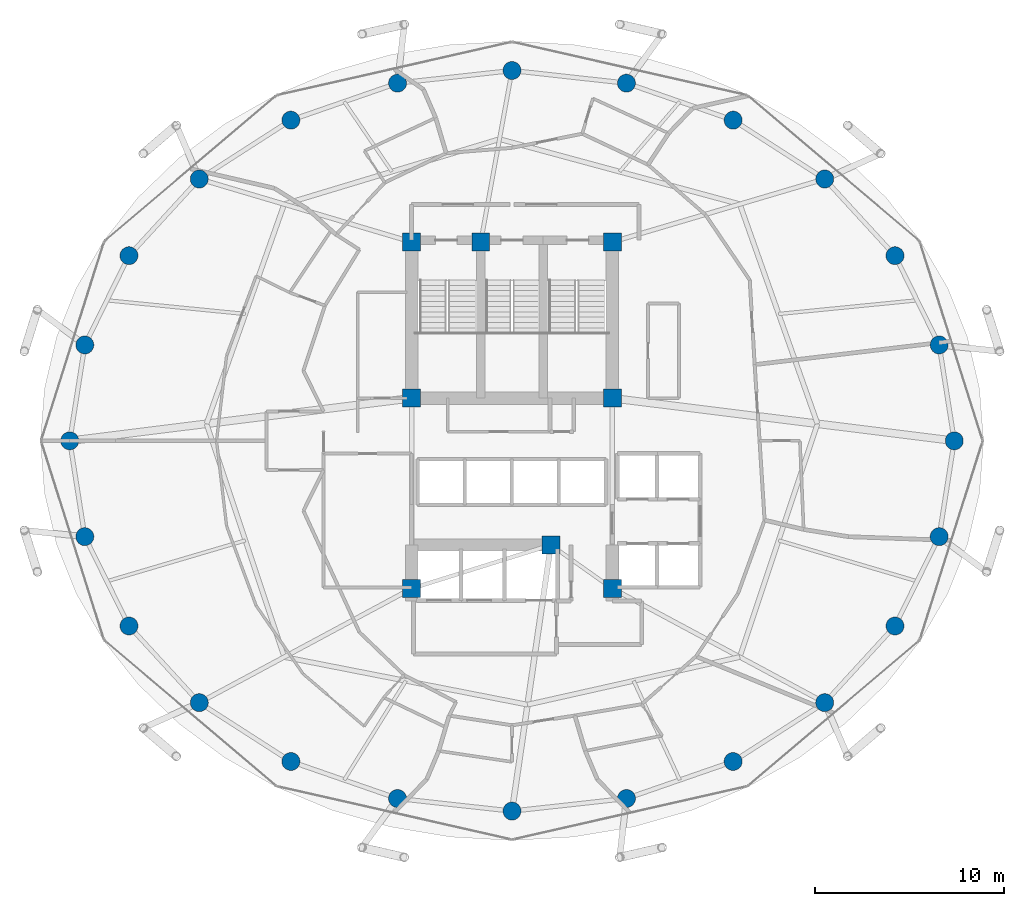
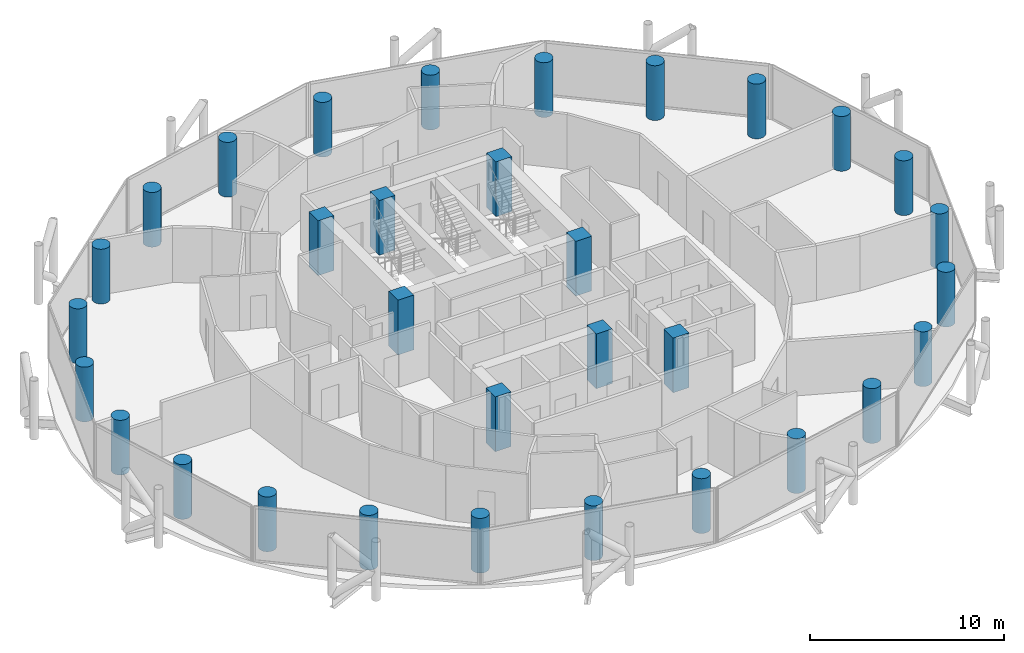
# One storey, part 1 of 26: 32 columns.
"""IFC4 building model written with IfcOpenShell, lengths in metres."""

import ifcopenshell
import ifcopenshell.guid

model = None  # the IFC model being written
_history = None  # IfcOwnerHistory: only IFC2X3 demands one
_inside = {}  # id of a spatial element -> (the spatial element, [elements in it])
_under = {}  # id of a project, library or spatial element -> (it, [spatial elements below it])
_declared = {}  # id of a project -> (the project, [libraries it declares])
_typed = {}  # id of a type object -> (the type object, [elements of that type])
_made_of = {}  # id of a material, layer set ... -> (it, [elements and type objects made of it])


def new_model(schema):
    """Start an empty IFC model of exactly this schema.

    Asked for "IFC4X3", IfcOpenShell would pick the latest addendum, in which some entities
    have other attributes; the version numbers below select the first issue.
    IFC2X3 requires an IfcOwnerHistory on every rooted entity: one is made here for all.
    """
    global model, _history
    if schema == "IFC4X3":
        model = ifcopenshell.file(schema_version=(4, 3, 0, 0))
    else:
        model = ifcopenshell.file(schema=schema)
    _inside.clear()
    _under.clear()
    _declared.clear()
    _typed.clear()
    _made_of.clear()
    _history = None
    if model.schema == "IFC2X3":
        org = make("IfcOrganization", Name="unknown")
        user = make(
            "IfcPersonAndOrganization",
            ThePerson=make("IfcPerson", FamilyName="unknown"),
            TheOrganization=org,
        )
        app = make(
            "IfcApplication",
            ApplicationDeveloper=org,
            Version="unknown",
            ApplicationFullName="unknown",
            ApplicationIdentifier="unknown",
        )
        _history = make(
            "IfcOwnerHistory",
            OwningUser=user,
            OwningApplication=app,
            ChangeAction="ADDED",
            CreationDate=0,
        )
    return model


def make(cls, **values):
    """One entity of the class cls with the attributes given. An attribute that is None is left unset."""
    return model.create_entity(
        cls, **{name: value for name, value in values.items() if value is not None}
    )


def rooted(cls, **values):
    """An entity with a GlobalId (a new one), such as an element, a storey or a relation."""
    return make(cls, GlobalId=ifcopenshell.guid.new(), OwnerHistory=_history, **values)


def si_unit(unit_type, name, prefix=None):
    """IfcSIUnit, for example si_unit("LENGTHUNIT", "METRE", prefix="MILLI")."""
    return make("IfcSIUnit", UnitType=unit_type, Prefix=prefix, Name=name)


def assignment(units):
    """IfcUnitAssignment: the units of a project."""
    return None if units is None else make("IfcUnitAssignment", Units=units)


def point(xyz):
    """IfcCartesianPoint."""
    return None if xyz is None else make("IfcCartesianPoint", Coordinates=xyz)


def direction(xyz):
    """IfcDirection."""
    return None if xyz is None else make("IfcDirection", DirectionRatios=xyz)


def frame(location, z_axis=None, x_axis=None):
    """IfcAxis2Placement3D, a coordinate frame: its origin and axes. An axis left out is left unset."""
    return make(
        "IfcAxis2Placement3D",
        Location=point(location),
        Axis=direction(z_axis),
        RefDirection=direction(x_axis),
    )


def frame_2d(location, x_axis=None):
    """IfcAxis2Placement2D, a coordinate frame in the plane: its origin and x axis."""
    return make(
        "IfcAxis2Placement2D", Location=point(location), RefDirection=direction(x_axis)
    )


def origin():
    """The frame at (0, 0, 0) with its axes left unset."""
    return frame((0.0, 0.0, 0.0))


def origin_2d():
    """The frame at (0, 0) in the plane with its x axis left unset."""
    return frame_2d((0.0, 0.0))


def place(relative_to, where):
    """IfcLocalPlacement: puts the frame where relative to a parent placement (None: the world)."""
    return make(
        "IfcLocalPlacement", PlacementRelTo=relative_to, RelativePlacement=where
    )


def context(
    kind, dimensions, precision=None, world=None, true_north=None, identifier=None
):
    """IfcGeometricRepresentationContext, for example the 3D "Model" context."""
    return make(
        "IfcGeometricRepresentationContext",
        ContextIdentifier=identifier,
        ContextType=kind,
        CoordinateSpaceDimension=dimensions,
        Precision=precision,
        WorldCoordinateSystem=world,
        TrueNorth=true_north,
    )


def subcontext(parent, identifier, kind, view, scale=None):
    """IfcGeometricRepresentationSubContext, for example "Body" below "Model"."""
    return make(
        "IfcGeometricRepresentationSubContext",
        ContextIdentifier=identifier,
        ContextType=kind,
        ParentContext=parent,
        TargetScale=scale,
        TargetView=view,
    )


def project(units=None, contexts=None):
    """IfcProject with its units and contexts."""
    return rooted(
        "IfcProject",
        Name="project",
        RepresentationContexts=contexts,
        UnitsInContext=assignment(units),
    )


def spatial(cls, under=None, at=None, **own):
    """A site, building, storey or space (cls), placed at a placement, below another one or the project."""
    s = rooted(cls, ObjectPlacement=at, **own)
    if under is not None:
        _under.setdefault(under.id(), (under, []))[1].append(s)
    return s


def profile(cls, at=None, kind="AREA", **sizes):
    """A parametric profile (cls). Its sizes go by their IFC names, for example OverallWidth=200.0."""
    return make(cls, ProfileType=kind, Position=at, **sizes)


def rectangle(**sizes):
    """IfcRectangleProfileDef."""
    return profile("IfcRectangleProfileDef", **sizes)


def circle(**sizes):
    """IfcCircleProfileDef."""
    return profile("IfcCircleProfileDef", **sizes)


def extrude(swept, where, along, depth):
    """IfcExtrudedAreaSolid: the profile swept, set in the frame where, extruded along a direction by depth."""
    return make(
        "IfcExtrudedAreaSolid",
        SweptArea=swept,
        Position=where,
        ExtrudedDirection=direction(along),
        Depth=depth,
    )


def shape(context_of_items, identifier, shape_type, items):
    """IfcShapeRepresentation: the items that make up one representation, for example the "Body"."""
    return make(
        "IfcShapeRepresentation",
        ContextOfItems=context_of_items,
        RepresentationIdentifier=identifier,
        RepresentationType=shape_type,
        Items=items,
    )


def material(Name=None, Category=None):
    """IfcMaterial."""
    return make("IfcMaterial", Name=Name, Category=Category)


def material_profile(
    of_material, cross_section, Name=None, Category=None, Priority=None
):
    """IfcMaterialProfile: a cross section and its material."""
    return make(
        "IfcMaterialProfile",
        Name=Name,
        Material=of_material,
        Profile=cross_section,
        Priority=Priority,
        Category=Category,
    )


def profile_set(profiles, Name=None, composite=None):
    """IfcMaterialProfileSet."""
    return make(
        "IfcMaterialProfileSet",
        Name=Name,
        MaterialProfiles=profiles,
        CompositeProfile=composite,
    )


def made_of(thing, what):
    """Note that an element or type object is made of a material, layer set ...; save() writes the relation."""
    if what is not None:
        _made_of.setdefault(what.id(), (what, []))[1].append(thing)
    return thing


def type_object(cls, material=None, **own):
    """A type object (cls), such as IfcWallType, which elements share."""
    return made_of(rooted(cls, **own), material)


def element(
    cls,
    number,
    at=None,
    inside=None,
    cuts=None,
    type_object=None,
    material=None,
    context=None,
    identifier="Body",
    shape_type=None,
    held_by="IfcProductDefinitionShape",
    body=None,
    shapes=None,
    **own,
):
    """One element of the class cls, such as IfcWall. Its Tag is "e" and its number.

    at: its placement. inside: the storey or other place that contains it. cuts: it is an
    opening in that element (IfcRelVoidsElement). A single representation is given by context,
    identifier, shape_type and body (its items); several are given by shapes. held_by: the class
    of the entity that holds the representations. save() writes the other relations.
    """
    e = rooted(cls, Tag="e%d" % number, ObjectPlacement=at, **own)
    if body is not None:
        shapes = [shape(context, identifier, shape_type, body)]
    if shapes is not None:
        e.Representation = make(held_by, Representations=shapes)
    if inside is not None:
        _inside.setdefault(inside.id(), (inside, []))[1].append(e)
    if cuts is not None:
        rooted(
            "IfcRelVoidsElement", RelatingBuildingElement=cuts, RelatedOpeningElement=e
        )
    if type_object is not None:
        _typed.setdefault(type_object.id(), (type_object, []))[1].append(e)
    return made_of(e, material)


def aggregate(whole, parts):
    """IfcRelAggregates: a whole, such as a stair, and the parts it consists of."""
    return rooted("IfcRelAggregates", RelatingObject=whole, RelatedObjects=parts)


def save(model, path):
    """Write the relations noted so far, then the file.

    IfcRelAggregates (storeys below a building ...), IfcRelContainedInSpatialStructure (elements
    in a storey), IfcRelDefinesByType, IfcRelAssociatesMaterial and IfcRelDeclares: one each for
    every whole, place, type object, material and project.
    """
    for whole, parts in _under.values():
        aggregate(whole, parts)
    for where, things in _inside.values():
        rooted(
            "IfcRelContainedInSpatialStructure",
            RelatedElements=things,
            RelatingStructure=where,
        )
    for kind, things in _typed.values():
        rooted("IfcRelDefinesByType", RelatedObjects=things, RelatingType=kind)
    for what, things in _made_of.values():
        rooted("IfcRelAssociatesMaterial", RelatedObjects=things, RelatingMaterial=what)
    for by, libraries in _declared.values():
        rooted("IfcRelDeclares", RelatingContext=by, RelatedDefinitions=libraries)
    model.write(path)


model = new_model("IFC4")

# Units and contexts
model_context = context("Model", 3, precision=1e-05, world=origin(), true_north=direction((0.0, 1.0)))
body_context = subcontext(model_context, "Body", "Model", "MODEL_VIEW")
ifc_project = project(units=[si_unit("LENGTHUNIT", "METRE"), si_unit("AREAUNIT", "SQUARE_METRE"), si_unit("VOLUMEUNIT", "CUBIC_METRE"), si_unit("PLANEANGLEUNIT", "RADIAN"), si_unit("MASSUNIT", "GRAM", prefix="KILO")], contexts=[model_context])

# Site, building, storey
site_placement = place(None, origin())
site = spatial("IfcSite", under=ifc_project, at=site_placement, CompositionType="ELEMENT")
building_placement = place(site_placement, origin())
building = spatial("IfcBuilding", under=site, at=building_placement, Name="Nuhasar Tower", CompositionType="ELEMENT")
storey_placement = place(building_placement, frame((0.0, 0.0, 125.64990234375)))
storey = spatial("IfcBuildingStorey", under=building, at=storey_placement, Name="L29", CompositionType="ELEMENT", Elevation=125.64990234375)

# Columns
ifc_material = material(Name="Concrete C65/80", Category="concrete")
ifc_material_profile_1 = material_profile(ifc_material, circle(Radius=0.47509765625, at=origin_2d()), Name="CFT950")
ifc_profile_set_1 = profile_set([ifc_material_profile_1], Name="Concrete C65/80")
column_type_1 = type_object("IfcColumnType", Name="COL-CFT-950", PredefinedType="COLUMN", material=ifc_profile_set_1)
for number, where, z_axis, x_axis, name in (
    (1, (62.35009765625, 26.800048828125, 0.0), (0.0, 0.0, 1.0), (1.0, 0.0, 0.0), "L29 Perimeter Composite Column TC-01"),
    (2, (61.553955078125, 31.860107421875, 0.0), (0.0, 0.0, 1.0), (1.0, 0.0, 0.0), "L29 Perimeter Composite Column TC-02"),
    (3, (59.221923828125, 36.574951171875, 0.0), (0.0, 0.0, 1.0), (1.0, 0.0, 0.0), "L29 Perimeter Composite Column TC-03"),
    (4, (55.510986328125, 40.6240234375, 0.0), (0.0, 0.0, 1.0), (1.0, 0.0, 0.0), "L29 Perimeter Composite Column TC-04"),
    (5, (50.675048828125, 43.73095703125, 0.0), (0.0, 0.0, 1.0), (1.0, 0.0, 0.0), "L29 Perimeter Composite Column TC-05"),
    (6, (45.04296875, 45.68408203125, 0.0), (0.0, 0.0, 1.0), (1.0, 0.0, 0.0), "L29 Perimeter Composite Column TC-06"),
    (7, (39.0, 46.35009765625, 0.0), (0.0, 0.0, 1.0), (1.0, 0.0, 0.0), "L29 Perimeter Composite Column TC-07"),
    (8, (32.95703125, 45.68408203125, 0.0), (0.0, 0.0, 1.0), (1.0, 0.0, 0.0), "L29 Perimeter Composite Column TC-08"),
    (9, (27.324951171875, 43.73095703125, 0.0), (0.0, 0.0, 1.0), (1.0, 0.0, 0.0), "L29 Perimeter Composite Column TC-09"),
    (10, (22.489013671875, 40.6240234375, 0.0), (0.0, 0.0, 1.0), (1.0, 0.0, 0.0), "L29 Perimeter Composite Column TC-10"),
    (11, (18.778076171875, 36.574951171875, 0.0), (0.0, 0.0, 1.0), (1.0, 0.0, 0.0), "L29 Perimeter Composite Column TC-11"),
    (12, (16.446044921875, 31.860107421875, 0.0), (0.0, 0.0, 1.0), (1.0, 0.0, 0.0), "L29 Perimeter Composite Column TC-12"),
    (13, (15.64990234375, 26.800048828125, 0.0), (0.0, 0.0, 1.0), (1.0, 0.0, 0.0), "L29 Perimeter Composite Column TC-13"),
    (14, (16.446044921875, 21.739990234375, 0.0), (0.0, 0.0, 1.0), (1.0, 0.0, 0.0), "L29 Perimeter Composite Column TC-14"),
    (15, (18.778076171875, 17.02490234375, 0.0), (0.0, 0.0, 1.0), (1.0, 0.0, 0.0), "L29 Perimeter Composite Column TC-15"),
    (16, (22.489013671875, 12.97607421875, 0.0), (0.0, 0.0, 1.0), (1.0, 0.0, 0.0), "L29 Perimeter Composite Column TC-16"),
    (17, (27.324951171875, 9.868896484375, 0.0), (0.0, 0.0, 1.0), (1.0, 0.0, 0.0), "L29 Perimeter Composite Column TC-17"),
    (18, (32.95703125, 7.916015625, 0.0), (0.0, 0.0, 1.0), (1.0, 0.0, 0.0), "L29 Perimeter Composite Column TC-18"),
    (19, (39.0, 7.25, 0.0), (0.0, 0.0, 1.0), (1.0, 0.0, 0.0), "L29 Perimeter Composite Column TC-19"),
    (20, (45.04296875, 7.916015625, 0.0), (0.0, 0.0, 1.0), (1.0, 0.0, 0.0), "L29 Perimeter Composite Column TC-20"),
    (21, (50.675048828125, 9.868896484375, 0.0), (0.0, 0.0, 1.0), (1.0, 0.0, 0.0), "L29 Perimeter Composite Column TC-21"),
    (22, (55.510986328125, 12.97607421875, 0.0), (0.0, 0.0, 1.0), (1.0, 0.0, 0.0), "L29 Perimeter Composite Column TC-22"),
    (23, (59.221923828125, 17.02490234375, 0.0), (0.0, 0.0, 1.0), (1.0, 0.0, 0.0), "L29 Perimeter Composite Column TC-23"),
    (24, (61.553955078125, 21.739990234375, 0.0), (0.0, 0.0, 1.0), (1.0, 0.0, 0.0), "L29 Perimeter Composite Column TC-24"),
):
    element("IfcColumn", number, at=place(storey_placement, frame(where, z_axis=z_axis, x_axis=x_axis)), inside=storey, type_object=column_type_1, Name=name, PredefinedType="COLUMN", context=body_context, shape_type="SweptSolid", body=[
        extrude(circle(Radius=0.47509765625, at=origin_2d()), origin(), (0.0, 0.0, 1.0), 3.4501953125),
    ])
ifc_material_profile_2 = material_profile(ifc_material, rectangle(XDim=0.949951171875, YDim=0.949951171875, at=origin_2d()), Name="RC950X950")
ifc_profile_set_2 = profile_set([ifc_material_profile_2], Name="Concrete C65/80")
column_type_2 = type_object("IfcColumnType", Name="PIL-RC-950", PredefinedType="PILASTER", material=ifc_profile_set_2)
for number, where, z_axis, x_axis, name in (
    (25, (33.699951171875, 19.0, 0.0), (0.0, 0.0, 1.0), (1.0, 0.0, 0.0), "L29 Core Boundary Pilaster CC-01"),
    (26, (41.050048828125, 21.300048828125, 0.0), (0.0, 0.0, 1.0), (1.0, 0.0, 0.0), "L29 Core Boundary Pilaster CC-02"),
    (27, (44.300048828125, 19.0, 0.0), (0.0, 0.0, 1.0), (1.0, 0.0, 0.0), "L29 Core Boundary Pilaster CC-03"),
    (28, (44.300048828125, 29.050048828125, 0.0), (0.0, 0.0, 1.0), (1.0, 0.0, 0.0), "L29 Core Boundary Pilaster CC-04"),
    (29, (44.300048828125, 37.300048828125, 0.0), (0.0, 0.0, 1.0), (1.0, 0.0, 0.0), "L29 Core Boundary Pilaster CC-05"),
    (30, (37.35009765625, 37.300048828125, 0.0), (0.0, 0.0, 1.0), (1.0, 0.0, 0.0), "L29 Core Boundary Pilaster CC-06"),
    (31, (33.699951171875, 37.300048828125, 0.0), (0.0, 0.0, 1.0), (1.0, 0.0, 0.0), "L29 Core Boundary Pilaster CC-07"),
    (32, (33.699951171875, 29.050048828125, 0.0), (0.0, 0.0, 1.0), (1.0, 0.0, 0.0), "L29 Core Boundary Pilaster CC-08"),
):
    element("IfcColumn", number, at=place(storey_placement, frame(where, z_axis=z_axis, x_axis=x_axis)), inside=storey, type_object=column_type_2, Name=name, PredefinedType="PILASTER", context=body_context, shape_type="SweptSolid", body=[
        extrude(rectangle(XDim=0.949951171875, YDim=0.949951171875, at=origin_2d()), origin(), (0.0, 0.0, 1.0), 3.4501953125),
    ])

save(model, "model.ifc")
